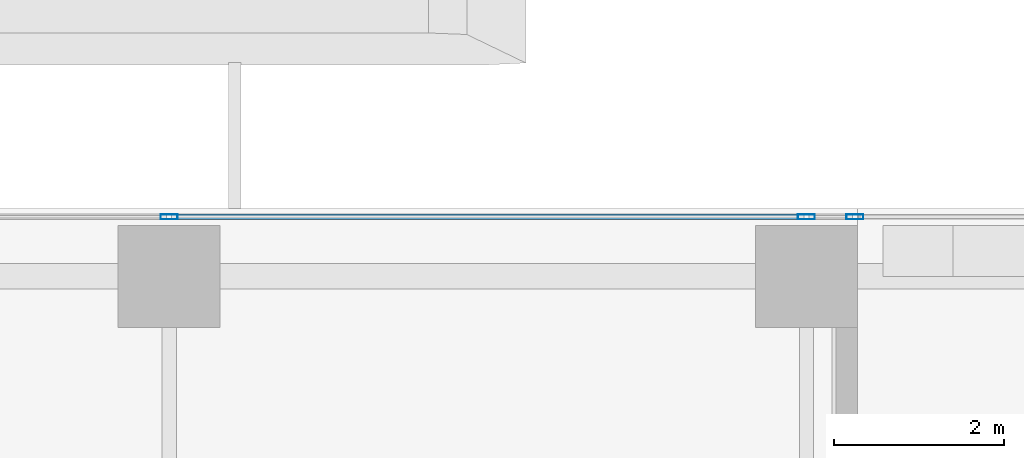
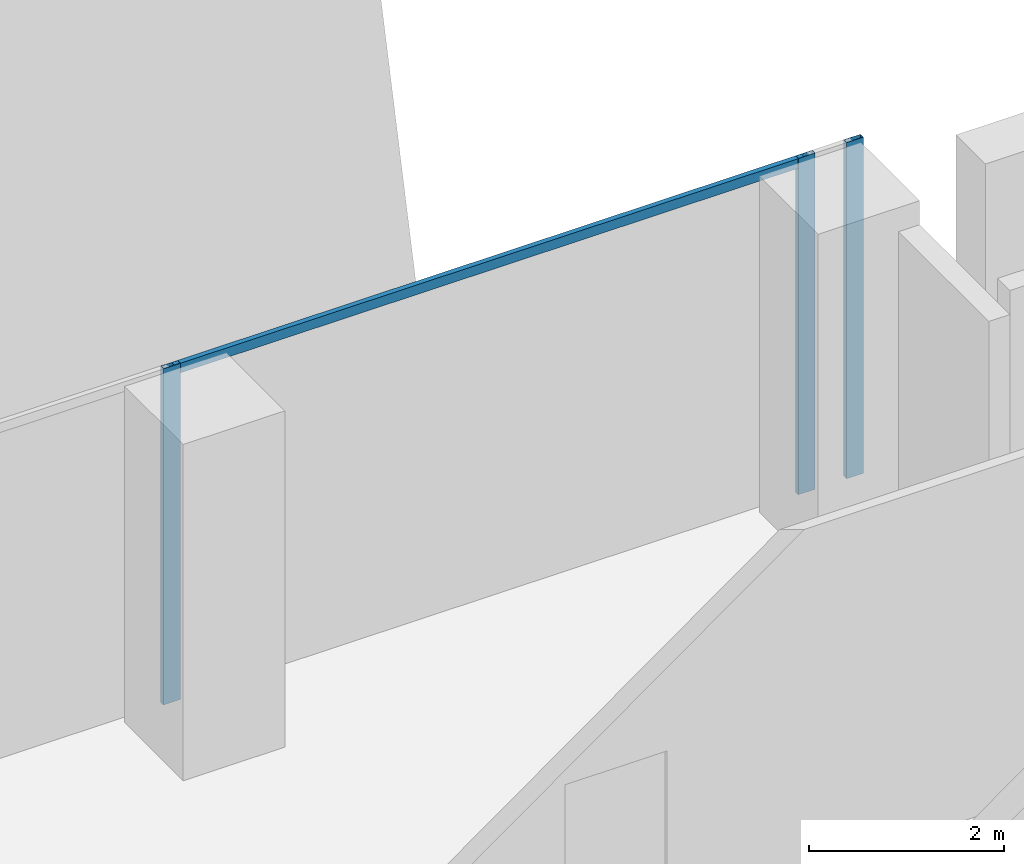
# One storey, part 15 of 34: 4 members, 1 element without a shape of its own.
"""IFC4 building model written with IfcOpenShell, lengths in metres."""

from ifc_helpers import new_model, si_unit, direction, frame, origin, origin_2d, place, context, subcontext, project, spatial, hollow_rectangle, extrude, source, transform, mapped, material, material_profile, profile_set, type_object, element, aggregate, save


model = new_model("IFC4")

# Units and contexts
model_context = context("Model", 3, precision=1e-05, world=origin(), true_north=direction((0.0, 1.0)))
body_context = subcontext(model_context, "Body", "Model", "MODEL_VIEW")
ifc_project = project(units=[si_unit("LENGTHUNIT", "METRE"), si_unit("AREAUNIT", "SQUARE_METRE"), si_unit("VOLUMEUNIT", "CUBIC_METRE"), si_unit("PLANEANGLEUNIT", "RADIAN"), si_unit("MASSUNIT", "GRAM", prefix="KILO")], contexts=[model_context])

# Site, building, storey
site_placement = place(None, origin())
site = spatial("IfcSite", under=ifc_project, at=site_placement, CompositionType="ELEMENT")
building_placement = place(site_placement, origin())
building = spatial("IfcBuilding", under=site, at=building_placement, Name="Khomas Fold Tower", CompositionType="ELEMENT")
storey_placement = place(building_placement, frame((0.0, 0.0, 51.0)))
storey = spatial("IfcBuildingStorey", under=building, at=storey_placement, Name="L10", CompositionType="ELEMENT", Elevation=51.0)

# Curtain wall, members
ifc_material_1 = material(Name="Aluminium framed double glazing", Category="aluminium")
curtain_wall_type = type_object("IfcCurtainWallType", Name="SK-Unitised clear-glass wall, growing floors CW1", PredefinedType="NOTDEFINED", material=ifc_material_1)
curtain_wall_placement = place(storey_placement, origin())
curtain_wall = element("IfcCurtainWall", 1, at=curtain_wall_placement, inside=storey, type_object=curtain_wall_type, Name="CW1 run L10 06-1", PredefinedType="NOTDEFINED")
ifc_material_2 = material(Name="Aluminium", Category="aluminium")
ifc_material_profile_1 = material_profile(ifc_material_2, hollow_rectangle(XDim=0.06005859375, YDim=0.1201171875, WallThickness=0.00390625, at=origin_2d()), Name="SK-Unitised clear-glass wall, growing floors transom CW1-T")
ifc_profile_set_1 = profile_set([ifc_material_profile_1], Name="Aluminium")
member_type_1 = type_object("IfcMemberType", Name="SK-Unitised clear-glass wall, growing floors transom CW1-T", PredefinedType="USERDEFINED", material=ifc_profile_set_1)
shared_shape_1 = source(origin(), body_context, "Body", "SweptSolid", [
    extrude(hollow_rectangle(XDim=0.06005859375, YDim=0.1201171875, WallThickness=0.00390625, at=origin_2d()), origin(), (0.0, 0.0, 1.0), 7.43994140625),
])
member_1_placement = place(storey_placement, frame((26.969970703125, 53.89990234375, 4.139892578125), z_axis=(-1.0, 0.0, 0.0), x_axis=(0.0, -1.0, 0.0)))
member_1 = element("IfcMember", 2, at=member_1_placement, type_object=member_type_1, Name="CW1 transom 2", ObjectType="TRANSOM", PredefinedType="USERDEFINED", context=body_context, shape_type="MappedRepresentation", body=[
    mapped(shared_shape_1, transform((0.0, 0.0, 0.0))),
])
ifc_material_3 = material(Name="Aluminium", Category="aluminium")
ifc_material_profile_2 = material_profile(ifc_material_3, hollow_rectangle(XDim=0.06005859375, YDim=0.199951171875, WallThickness=0.00390625, at=origin_2d()), Name="SK-Unitised clear-glass wall, growing floors mullion CW1-M")
ifc_profile_set_2 = profile_set([ifc_material_profile_2], Name="Aluminium")
member_type_2 = type_object("IfcMemberType", Name="SK-Unitised clear-glass wall, growing floors mullion CW1-M", PredefinedType="MULLION", material=ifc_profile_set_2)
shared_shape_2 = source(origin(), body_context, "Body", "SweptSolid", [
    extrude(hollow_rectangle(XDim=0.06005859375, YDim=0.199951171875, WallThickness=0.00390625, at=origin_2d()), origin(), (0.0, 0.0, 1.0), 4.199951171875),
])
member_2_placement = place(storey_placement, frame((27.570068359375, 53.89990234375, 0.0), z_axis=(0.0, 0.0, 1.0), x_axis=(0.0, -1.0, 0.0)))
member_2 = element("IfcMember", 3, at=member_2_placement, type_object=member_type_2, Name="CW1 mullion 1", PredefinedType="MULLION", context=body_context, shape_type="MappedRepresentation", body=[
    mapped(shared_shape_2, transform((0.0, 0.0, 0.0))),
])
member_3_placement = place(storey_placement, frame((27.0, 53.89990234375, 0.0), z_axis=(0.0, 0.0, 1.0), x_axis=(0.0, -1.0, 0.0)))
member_3 = element("IfcMember", 4, at=member_3_placement, type_object=member_type_2, Name="CW1 mullion 2", PredefinedType="MULLION", context=body_context, shape_type="MappedRepresentation", body=[
    mapped(shared_shape_2, transform((0.0, 0.0, 0.0))),
])
member_4_placement = place(storey_placement, frame((19.5, 53.89990234375, 0.0), z_axis=(0.0, 0.0, 1.0), x_axis=(0.0, -1.0, 0.0)))
member_4 = element("IfcMember", 5, at=member_4_placement, type_object=member_type_2, Name="CW1 mullion 3", PredefinedType="MULLION", context=body_context, shape_type="MappedRepresentation", body=[
    mapped(shared_shape_2, transform((0.0, 0.0, 0.0))),
])
aggregate(curtain_wall, [member_2, member_3, member_4, member_1])

save(model, "model.ifc")
